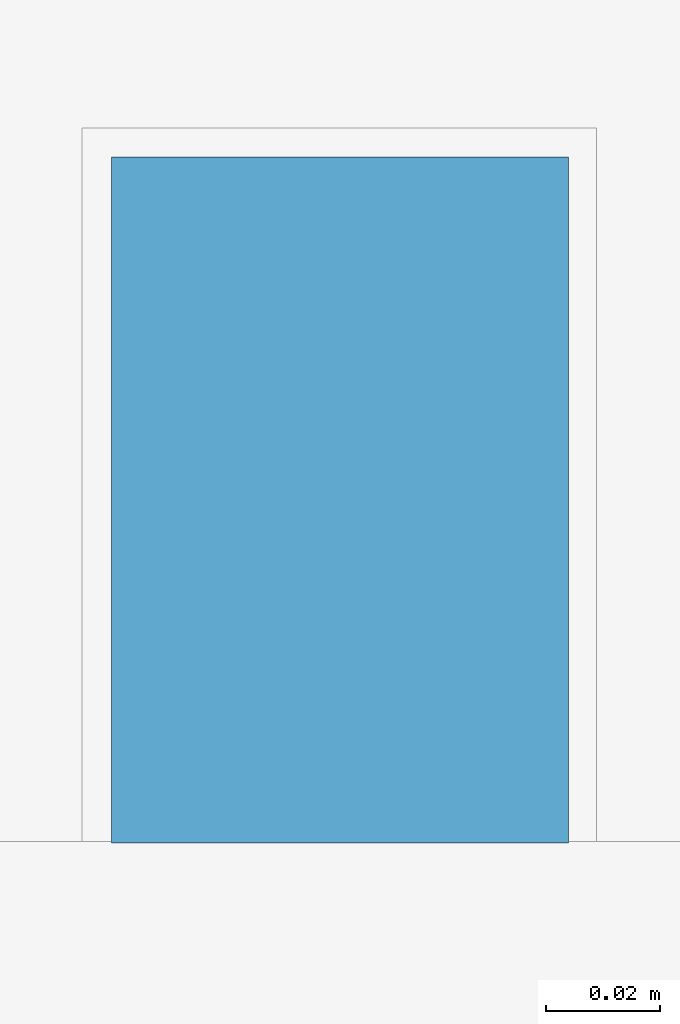
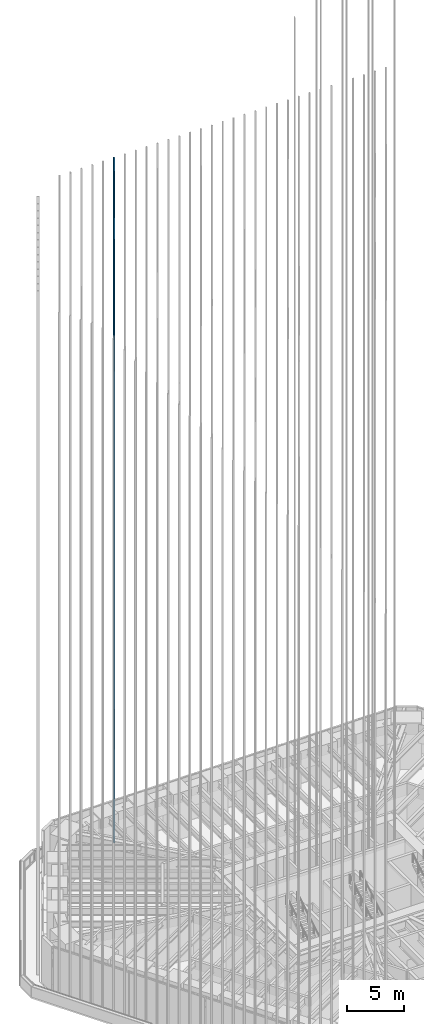
# One storey, part 161 of 228: 1 member, 1 element without a shape of its own.
"""IFC4 building model written with IfcOpenShell, lengths in metres."""

from ifc_helpers import new_model, si_unit, direction, frame, origin, origin_2d, place, context, subcontext, project, spatial, rectangle, extrude, material, material_profile, profile_set, type_object, element, aggregate, save


model = new_model("IFC4")

# Units and contexts
model_context = context("Model", 3, precision=1e-05, world=origin(), true_north=direction((0.0, 1.0)))
body_context = subcontext(model_context, "Body", "Model", "MODEL_VIEW")
ifc_project = project(units=[si_unit("LENGTHUNIT", "METRE"), si_unit("AREAUNIT", "SQUARE_METRE"), si_unit("VOLUMEUNIT", "CUBIC_METRE"), si_unit("PLANEANGLEUNIT", "RADIAN"), si_unit("MASSUNIT", "GRAM", prefix="KILO")], contexts=[model_context])

# Site, building, storey
site_placement = place(None, origin())
site = spatial("IfcSite", under=ifc_project, at=site_placement, CompositionType="ELEMENT")
building_placement = place(site_placement, origin())
building = spatial("IfcBuilding", under=site, at=building_placement, Name="Sandreach Pilgrim Tower", CompositionType="ELEMENT")
storey_placement = place(building_placement, frame((0.0, 0.0, 178.199951171875)))
storey = spatial("IfcBuildingStorey", under=building, at=storey_placement, Name="L44", CompositionType="ELEMENT", Elevation=178.199951171875)

# Curtain wall, member
ifc_material_1 = material(Name="Aluminium framed curtain wall", Category="aluminium")
curtain_wall_type = type_object("IfcCurtainWallType", Name="Upper hotel tower curtain wall", PredefinedType="NOTDEFINED", material=ifc_material_1)
curtain_wall_placement = place(storey_placement, origin())
curtain_wall = element("IfcCurtainWall", 1, at=curtain_wall_placement, inside=storey, type_object=curtain_wall_type, Name="CW-3 L44 N", PredefinedType="NOTDEFINED")
ifc_material_2 = material(Name="Extruded terracotta on aluminium core", Category="masonry")
ifc_material_profile = material_profile(ifc_material_2, rectangle(XDim=0.080078125, YDim=0.1201171875, at=origin_2d()), Name="TBN 80X120")
ifc_profile_set = profile_set([ifc_material_profile], Name="Extruded terracotta on aluminium core")
member_type = type_object("IfcMemberType", Name="Terracotta baguette north", PredefinedType="USERDEFINED", material=ifc_profile_set)
member_placement = place(storey_placement, frame((-10.99853515625, 21.52001953125, 0.0), z_axis=(0.0, 0.0, 1.0), x_axis=(1.0, 0.0, 0.0)))
member = element("IfcMember", 2, at=member_placement, type_object=member_type, Name="Baguette Z3 N06", ObjectType="BAGUETTE", PredefinedType="USERDEFINED", context=body_context, shape_type="SweptSolid", body=[
    extrude(rectangle(XDim=0.080078125, YDim=0.1201171875, at=origin_2d()), origin(), (0.0, 0.0, 1.0), 73.239990234375),
])
aggregate(curtain_wall, [member])

save(model, "model.ifc")
